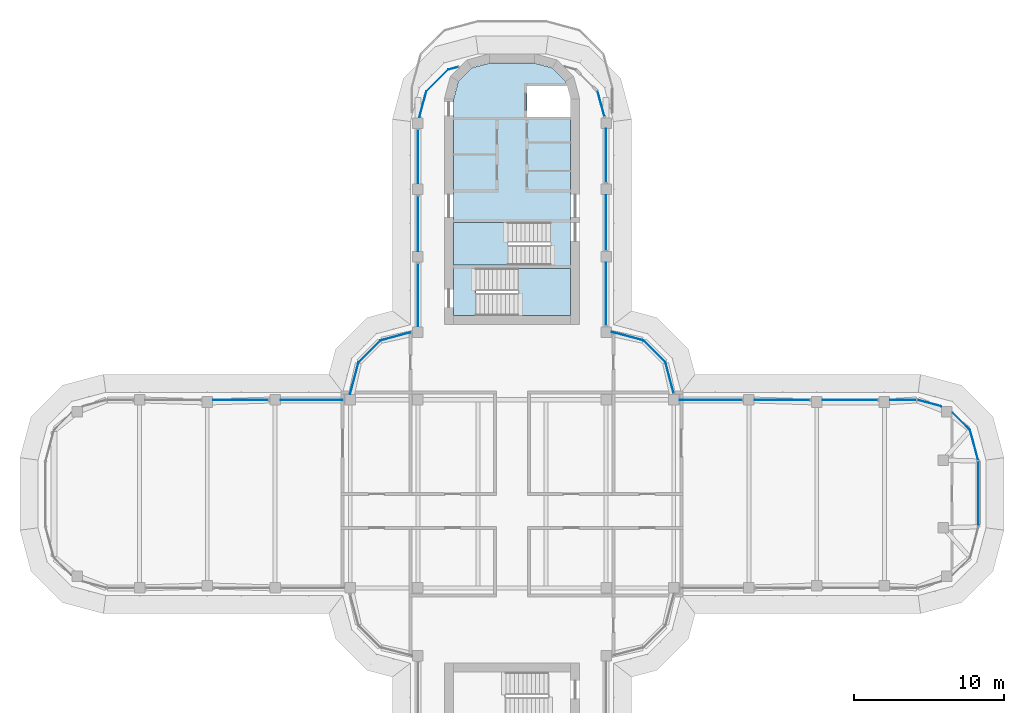
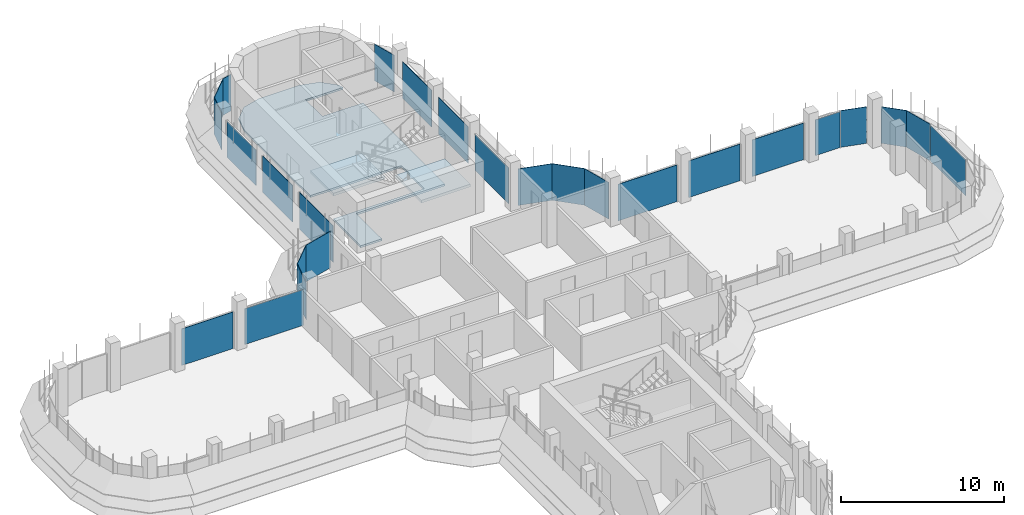
# One storey, part 12 of 19: 26 plates, 3 slabs, 20 elements without a shape of their own.
"""IFC4 building model written with IfcOpenShell, lengths in metres."""

from ifc_helpers import new_model, si_unit, direction, frame, origin, place, context, subcontext, project, spatial, polyline, outline, extrude, source, transform, mapped, material, layer, layer_set, type_object, element, aggregate, save


model = new_model("IFC4")

# Units and contexts
model_context = context("Model", 3, precision=1e-05, world=origin(), true_north=direction((0.0, 1.0)))
body_context = subcontext(model_context, "Body", "Model", "MODEL_VIEW")
ifc_project = project(units=[si_unit("LENGTHUNIT", "METRE"), si_unit("AREAUNIT", "SQUARE_METRE"), si_unit("VOLUMEUNIT", "CUBIC_METRE"), si_unit("PLANEANGLEUNIT", "RADIAN"), si_unit("MASSUNIT", "GRAM", prefix="KILO")], contexts=[model_context])

# Site, building, storey
site_placement = place(None, origin())
site = spatial("IfcSite", under=ifc_project, at=site_placement, CompositionType="ELEMENT")
building_placement = place(site_placement, origin())
building = spatial("IfcBuilding", under=site, at=building_placement, Name="Zarbagh Exchange Tower", CompositionType="ELEMENT")
storey_placement = place(building_placement, frame((0.0, 0.0, 218.199951171875)))
storey = spatial("IfcBuildingStorey", under=building, at=storey_placement, Name="L53", CompositionType="ELEMENT", Elevation=218.199951171875)

# Slab
ifc_material_1 = material(Name="Concrete C40/50", Category="concrete")
ifc_layer_1 = layer(ifc_material_1, 0.14990234375)
ifc_layer_set_1 = layer_set([ifc_layer_1], Name="Core floor slab 150 C40/50")
slab_type_1 = type_object("IfcSlabType", Name="Core floor slab 150 C40/50", PredefinedType="FLOOR", material=ifc_layer_set_1)
slab_1_placement = place(storey_placement, frame((0.0, 0.0, -0.14990234375)))
element("IfcSlab", 1, at=slab_1_placement, inside=storey, type_object=slab_type_1, Name="S17 core N", PredefinedType="FLOOR", context=body_context, shape_type="SweptSolid", body=[
    extrude(outline(polyline([(-3.89990234375, 11.85009765625), (-3.89990234375, 15.199951171875), (2.550048828125, 15.199951171875), (2.550048828125, 18.050048828125), (-3.89990234375, 18.050048828125), (-3.89990234375, 26.1708984375), (-3.56005859375, 27.439453125), (-2.689453125, 28.31005859375), (-1.4208984375, 28.64990234375), (1.4208984375, 28.64990234375), (2.689453125, 28.31005859375), (3.56005859375, 27.439453125), (3.651123046875, 27.10009765625), (1.0, 27.10009765625), (1.0, 25.050048828125), (3.89990234375, 25.050048828125), (3.89990234375, 15.0), (-2.39990234375, 15.0), (-2.39990234375, 11.85009765625), (-3.89990234375, 11.85009765625)])), origin(), (0.0, 0.0, 1.0), 0.14990234375),
])

# Stair, slab
stair_type = type_object("IfcStairType", Name="Exit stair two-flight half-turn", PredefinedType="HALF_TURN_STAIR", material=ifc_material_1)
stair_1_placement = place(storey_placement, origin())
stair_1 = element("IfcStair", 2, at=stair_1_placement, inside=storey, type_object=stair_type, Name="exit stair ST1", PredefinedType="HALF_TURN_STAIR")
ifc_layer_2 = layer(ifc_material_1, 0.199951171875)
ifc_layer_set_2 = layer_set([ifc_layer_2], Name="Stair landing 200 mm")
slab_type_2 = type_object("IfcSlabType", Name="Stair landing 200 mm", PredefinedType="LANDING", material=ifc_layer_set_2)
slab_2_placement = place(storey_placement, frame((0.0, 0.0, 1.699951171875)))
slab_2 = element("IfcSlab", 3, at=slab_2_placement, type_object=slab_type_2, Name="ST1 landing 1", PredefinedType="LANDING", context=body_context, shape_type="SweptSolid", body=[
    extrude(outline(polyline([(-0.25, 18.050048828125), (-3.89990234375, 18.050048828125), (-3.89990234375, 15.199951171875), (-0.25, 15.199951171875), (-0.25, 18.050048828125)])), origin(), (0.0, 0.0, 1.0), 0.2001953125),
])
aggregate(stair_1, [slab_2])

stair_2_placement = place(storey_placement, origin())
stair_2 = element("IfcStair", 4, at=stair_2_placement, inside=storey, type_object=stair_type, Name="exit stair ST2", PredefinedType="HALF_TURN_STAIR")
slab_3_placement = place(storey_placement, frame((0.0, 0.0, 1.699951171875)))
slab_3 = element("IfcSlab", 5, at=slab_3_placement, type_object=slab_type_2, Name="ST2 landing 1", PredefinedType="LANDING", context=body_context, shape_type="SweptSolid", body=[
    extrude(outline(polyline([(0.39990234375, 11.85009765625), (3.89990234375, 11.85009765625), (3.89990234375, 15.0), (0.39990234375, 15.0), (0.39990234375, 11.85009765625)])), origin(), (0.0, 0.0, 1.0), 0.2001953125),
])
aggregate(stair_2, [slab_3])

# Curtain wall, plate
ifc_material_2 = material(Name="Anodised aluminium frame and glazing", Category="aluminium")
curtain_wall_type = type_object("IfcCurtainWallType", Name="CWB Ribbon glazing, upper zones", PredefinedType="NOTDEFINED", material=ifc_material_2)
curtain_wall_1_placement = place(storey_placement, origin())
curtain_wall_1 = element("IfcCurtainWall", 6, at=curtain_wall_1_placement, inside=storey, type_object=curtain_wall_type, Name="CWB18 curtain wall", PredefinedType="NOTDEFINED")
ifc_material_3 = material(Name="Low-e double glazed unit, 6+12+6 mm")
ifc_layer_3 = layer(ifc_material_3, 0.031982421875)
ifc_layer_set_3 = layer_set([ifc_layer_3], Name="PAB Glazing panel, Low-e double glazed unit, 6+12+6 mm")
plate_type = type_object("IfcPlateType", Name="PAB Glazing panel, Low-e double glazed unit, 6+12+6 mm", PredefinedType="CURTAIN_PANEL", material=ifc_layer_set_3)
shared_shape_1 = source(origin(), body_context, "Body", "SweptSolid", [
    extrude(outline(polyline([(0.0, -0.01611328125), (2.061279296875, -0.01611328125), (2.061279296875, 0.01611328125), (0.0, 0.01611328125), (0.0, -0.01611328125)])), origin(), (0.0, 0.0, 1.0), 2.75),
])
placement = place(storey_placement, origin())
plate_1 = element("IfcPlate", 7, at=placement, type_object=plate_type, Name="CWB18 glazing panel 1.1", PredefinedType="CURTAIN_PANEL", context=body_context, shape_type="MappedRepresentation", body=[
    mapped(shared_shape_1, transform((10.19873046875, 8.7412109375, 0.0), x_axis=(-0.707106781187, 0.707106781187, 0.0), y_axis=(-0.707106781187, -0.707106781187, 0.0), z_axis=(0.0, 0.0, 1.0))),
])
aggregate(curtain_wall_1, [plate_1])

curtain_wall_2_placement = place(storey_placement, origin())
curtain_wall_2 = element("IfcCurtainWall", 8, at=curtain_wall_2_placement, inside=storey, type_object=curtain_wall_type, Name="CWB71 curtain wall", PredefinedType="NOTDEFINED")
plate_2 = element("IfcPlate", 9, at=placement, type_object=plate_type, Name="CWB71 glazing panel 1.1", PredefinedType="CURTAIN_PANEL", context=body_context, shape_type="MappedRepresentation", body=[
    mapped(shared_shape_1, transform((-4.2412109375, 28.19873046875, 0.0), x_axis=(-0.707106781187, -0.707106781187, 0.0), y_axis=(0.707106781187, -0.707106781187, 0.0), z_axis=(0.0, 0.0, 1.0))),
])
aggregate(curtain_wall_2, [plate_2])

curtain_wall_3_placement = place(storey_placement, origin())
curtain_wall_3 = element("IfcCurtainWall", 10, at=curtain_wall_3_placement, inside=storey, type_object=curtain_wall_type, Name="CWB30 curtain wall", PredefinedType="NOTDEFINED")
plate_3 = element("IfcPlate", 11, at=placement, type_object=plate_type, Name="CWB30 glazing panel 1.1", PredefinedType="CURTAIN_PANEL", context=body_context, shape_type="MappedRepresentation", body=[
    mapped(shared_shape_1, transform((-8.7412109375, 10.19873046875, 0.0), x_axis=(-0.707106781187, -0.707106781187, 0.0), y_axis=(0.707106781187, -0.707106781187, 0.0), z_axis=(0.0, 0.0, 1.0))),
])
aggregate(curtain_wall_3, [plate_3])

curtain_wall_4_placement = place(storey_placement, origin())
curtain_wall_4 = element("IfcCurtainWall", 12, at=curtain_wall_4_placement, inside=storey, type_object=curtain_wall_type, Name="CWB67 curtain wall", PredefinedType="NOTDEFINED")
shared_shape_2 = source(origin(), body_context, "Body", "SweptSolid", [
    extrude(outline(polyline([(0.0, -0.01611328125), (3.56005859375, -0.01611328125), (3.56005859375, 0.01611328125), (0.0, 0.01611328125), (0.0, -0.01611328125)])), origin(), (0.0, 0.0, 1.0), 2.75),
])
plate_4 = element("IfcPlate", 13, at=placement, type_object=plate_type, Name="CWB67 glazing panel 3.1", PredefinedType="CURTAIN_PANEL", context=body_context, shape_type="MappedRepresentation", body=[
    mapped(shared_shape_2, transform((6.25, 20.699951171875, 0.0), x_axis=(0.0, 1.0, 0.0), y_axis=(-1.0, 0.0, 0.0), z_axis=(0.0, 0.0, 1.0))),
])

curtain_wall_5_placement = place(storey_placement, origin())
curtain_wall_5 = element("IfcCurtainWall", 14, at=curtain_wall_5_placement, inside=storey, type_object=curtain_wall_type, Name="CWB12 curtain wall", PredefinedType="NOTDEFINED")
shared_shape_3 = source(origin(), body_context, "Body", "SweptSolid", [
    extrude(outline(polyline([(0.0, -0.01611328125), (4.308349609375, -0.01611328125), (4.308349609375, 0.01611328125), (0.0, 0.01611328125), (0.0, -0.01611328125)])), origin(), (0.0, 0.0, 1.0), 2.68994140625),
])
plate_5 = element("IfcPlate", 15, at=placement, type_object=plate_type, Name="CWB12 glazing panel 1.1", PredefinedType="CURTAIN_PANEL", context=body_context, shape_type="MappedRepresentation", body=[
    mapped(shared_shape_3, transform((31.0, -2.124267578125, 0.0), x_axis=(0.0, 1.0, 0.0), y_axis=(-1.0, 0.0, 0.0), z_axis=(0.0, 0.0, 1.0))),
])
aggregate(curtain_wall_5, [plate_5])

curtain_wall_6_placement = place(storey_placement, origin())
curtain_wall_6 = element("IfcCurtainWall", 16, at=curtain_wall_6_placement, inside=storey, type_object=curtain_wall_type, Name="CWB13 curtain wall", PredefinedType="NOTDEFINED")
shared_shape_4 = source(origin(), body_context, "Body", "SweptSolid", [
    extrude(outline(polyline([(0.0, -0.01611328125), (2.069580078125, -0.01611328125), (2.069580078125, 0.01611328125), (0.0, 0.01611328125), (0.0, -0.01611328125)])), origin(), (0.0, 0.0, 1.0), 2.75),
])
plate_6 = element("IfcPlate", 17, at=placement, type_object=plate_type, Name="CWB13 glazing panel 1.1", PredefinedType="CURTAIN_PANEL", context=body_context, shape_type="MappedRepresentation", body=[
    mapped(shared_shape_4, transform((30.984375, 2.2421875, 0.0), x_axis=(-0.258824779902, 0.965924289636, 0.0), y_axis=(-0.965924289636, -0.258824779902, 0.0), z_axis=(0.0, 0.0, 1.0))),
])
aggregate(curtain_wall_6, [plate_6])

curtain_wall_7_placement = place(storey_placement, origin())
curtain_wall_7 = element("IfcCurtainWall", 18, at=curtain_wall_7_placement, inside=storey, type_object=curtain_wall_type, Name="CWB73 curtain wall", PredefinedType="NOTDEFINED")
shared_shape_5 = source(origin(), body_context, "Body", "SweptSolid", [
    extrude(outline(polyline([(0.0, -0.01611328125), (3.56005859375, -0.01611328125), (3.56005859375, 0.01611328125), (0.0, 0.01611328125), (0.0, -0.01611328125)])), origin(), (0.0, 0.0, 1.0), 2.68994140625),
])
plate_7 = element("IfcPlate", 19, at=placement, type_object=plate_type, Name="CWB73 glazing panel 1.1", PredefinedType="CURTAIN_PANEL", context=body_context, shape_type="MappedRepresentation", body=[
    mapped(shared_shape_5, transform((-6.25, 24.199951171875, 0.0), x_axis=(0.0, -1.0, 0.0), y_axis=(1.0, 0.0, 0.0), z_axis=(0.0, 0.0, 1.0))),
])

curtain_wall_8_placement = place(storey_placement, origin())
curtain_wall_8 = element("IfcCurtainWall", 20, at=curtain_wall_8_placement, inside=storey, type_object=curtain_wall_type, Name="CWB72 curtain wall", PredefinedType="NOTDEFINED")
shared_shape_6 = source(origin(), body_context, "Body", "SweptSolid", [
    extrude(outline(polyline([(0.0, -0.01611328125), (1.76123046875, -0.01611328125), (1.76123046875, 0.01611328125), (0.0, 0.01611328125), (0.0, -0.01611328125)])), origin(), (0.0, 0.0, 1.0), 2.75),
])
plate_8 = element("IfcPlate", 21, at=placement, type_object=plate_type, Name="CWB72 glazing panel 1.1", PredefinedType="CURTAIN_PANEL", context=body_context, shape_type="MappedRepresentation", body=[
    mapped(shared_shape_6, transform((-5.69873046875, 26.7412109375, 0.0), x_axis=(-0.258824779902, -0.965924289636, 0.0), y_axis=(0.965924289636, -0.258824779902, 0.0), z_axis=(0.0, 0.0, 1.0))),
])
aggregate(curtain_wall_8, [plate_8])

# Curtain wall, plates
curtain_wall_9_placement = place(storey_placement, origin())
curtain_wall_9 = element("IfcCurtainWall", 22, at=curtain_wall_9_placement, inside=storey, type_object=curtain_wall_type, Name="CWB16 curtain wall", PredefinedType="NOTDEFINED")
shared_shape_7 = source(origin(), body_context, "Body", "SweptSolid", [
    extrude(outline(polyline([(0.0, -0.01611328125), (3.659912109375, -0.01611328125), (3.659912109375, 0.01611328125), (0.0, 0.01611328125), (0.0, -0.01611328125)])), origin(), (0.0, 0.0, 1.0), 2.75),
])
plate_9 = element("IfcPlate", 23, at=placement, type_object=plate_type, Name="CWB16 glazing panel 2.1", PredefinedType="CURTAIN_PANEL", context=body_context, shape_type="MappedRepresentation", body=[
    mapped(shared_shape_7, transform((24.300048828125, 6.25, 0.0), x_axis=(-1.0, 0.0, 0.0), y_axis=(0.0, -1.0, 0.0), z_axis=(0.0, 0.0, 1.0))),
])
plate_10 = element("IfcPlate", 24, at=placement, type_object=plate_type, Name="CWB16 glazing panel 3.1", PredefinedType="CURTAIN_PANEL", context=body_context, shape_type="MappedRepresentation", body=[
    mapped(shared_shape_7, transform((19.800048828125, 6.25, 0.0), x_axis=(-1.0, 0.0, 0.0), y_axis=(0.0, -1.0, 0.0), z_axis=(0.0, 0.0, 1.0))),
])

# Plate
plate_11 = element("IfcPlate", 25, at=placement, type_object=plate_type, Name="CWB67 glazing panel 2.1", PredefinedType="CURTAIN_PANEL", context=body_context, shape_type="MappedRepresentation", body=[
    mapped(shared_shape_7, transform((6.25, 16.199951171875, 0.0), x_axis=(0.0, 1.0, 0.0), y_axis=(-1.0, 0.0, 0.0), z_axis=(0.0, 0.0, 1.0))),
])

plate_12 = element("IfcPlate", 26, at=placement, type_object=plate_type, Name="CWB73 glazing panel 2.1", PredefinedType="CURTAIN_PANEL", context=body_context, shape_type="MappedRepresentation", body=[
    mapped(shared_shape_7, transform((-6.25, 19.800048828125, 0.0), x_axis=(0.0, -1.0, 0.0), y_axis=(1.0, 0.0, 0.0), z_axis=(0.0, 0.0, 1.0))),
])

# Curtain wall, plate
curtain_wall_10_placement = place(storey_placement, origin())
curtain_wall_10 = element("IfcCurtainWall", 27, at=curtain_wall_10_placement, inside=storey, type_object=curtain_wall_type, Name="CWB58 curtain wall", PredefinedType="NOTDEFINED")
plate_13 = element("IfcPlate", 28, at=placement, type_object=plate_type, Name="CWB58 glazing panel 2.1", PredefinedType="CURTAIN_PANEL", context=body_context, shape_type="MappedRepresentation", body=[
    mapped(shared_shape_7, transform((-16.199951171875, 6.25, 0.0), x_axis=(-1.0, 0.0, 0.0), y_axis=(0.0, -1.0, 0.0), z_axis=(0.0, 0.0, 1.0))),
])

# Plate
shared_shape_8 = source(origin(), body_context, "Body", "SweptSolid", [
    extrude(outline(polyline([(0.0, -0.01611328125), (4.159912109375, -0.01611328125), (4.159912109375, 0.01611328125), (0.0, 0.01611328125), (0.0, -0.01611328125)])), origin(), (0.0, 0.0, 1.0), 2.75),
])
plate_14 = element("IfcPlate", 29, at=placement, type_object=plate_type, Name="CWB16 glazing panel 4.1", PredefinedType="CURTAIN_PANEL", context=body_context, shape_type="MappedRepresentation", body=[
    mapped(shared_shape_8, transform((15.300048828125, 6.25, 0.0), x_axis=(-1.0, 0.0, 0.0), y_axis=(0.0, -1.0, 0.0), z_axis=(0.0, 0.0, 1.0))),
])

plate_15 = element("IfcPlate", 30, at=placement, type_object=plate_type, Name="CWB73 glazing panel 3.1", PredefinedType="CURTAIN_PANEL", context=body_context, shape_type="MappedRepresentation", body=[
    mapped(shared_shape_8, transform((-6.25, 15.300048828125, 0.0), x_axis=(0.0, -1.0, 0.0), y_axis=(1.0, 0.0, 0.0), z_axis=(0.0, 0.0, 1.0))),
])

aggregate(curtain_wall_7, [plate_7, plate_12, plate_15])

# Curtain wall, plate
curtain_wall_11_placement = place(storey_placement, origin())
curtain_wall_11 = element("IfcCurtainWall", 31, at=curtain_wall_11_placement, inside=storey, type_object=curtain_wall_type, Name="CWB17 curtain wall", PredefinedType="NOTDEFINED")
shared_shape_9 = source(origin(), body_context, "Body", "SweptSolid", [
    extrude(outline(polyline([(0.0, -0.01611328125), (2.115234375, -0.01611328125), (2.115234375, 0.01611328125), (0.0, 0.01611328125), (0.0, -0.01611328125)])), origin(), (0.0, 0.0, 1.0), 2.75),
])
plate_16 = element("IfcPlate", 32, at=placement, type_object=plate_type, Name="CWB17 glazing panel 1.1", PredefinedType="CURTAIN_PANEL", context=body_context, shape_type="MappedRepresentation", body=[
    mapped(shared_shape_9, transform((10.746337890625, 6.697998046875, 0.0), x_axis=(-0.258824779902, 0.965924289636, 0.0), y_axis=(-0.965924289636, -0.258824779902, 0.0), z_axis=(0.0, 0.0, 1.0))),
])
aggregate(curtain_wall_11, [plate_16])

curtain_wall_12_placement = place(storey_placement, origin())
curtain_wall_12 = element("IfcCurtainWall", 33, at=curtain_wall_12_placement, inside=storey, type_object=curtain_wall_type, Name="CWB29 curtain wall", PredefinedType="NOTDEFINED")
plate_17 = element("IfcPlate", 34, at=placement, type_object=plate_type, Name="CWB29 glazing panel 1.1", PredefinedType="CURTAIN_PANEL", context=body_context, shape_type="MappedRepresentation", body=[
    mapped(shared_shape_9, transform((-6.697998046875, 10.746337890625, 0.0), x_axis=(-0.965924289636, -0.258824779902, 0.0), y_axis=(0.258824779902, -0.965924289636, 0.0), z_axis=(0.0, 0.0, 1.0))),
])
aggregate(curtain_wall_12, [plate_17])

curtain_wall_13_placement = place(storey_placement, origin())
curtain_wall_13 = element("IfcCurtainWall", 35, at=curtain_wall_13_placement, inside=storey, type_object=curtain_wall_type, Name="CWB19 curtain wall", PredefinedType="NOTDEFINED")
shared_shape_10 = source(origin(), body_context, "Body", "SweptSolid", [
    extrude(outline(polyline([(0.0, -0.01611328125), (2.17529296875, -0.01611328125), (2.17529296875, 0.01611328125), (0.0, 0.01611328125), (0.0, -0.01611328125)])), origin(), (0.0, 0.0, 1.0), 2.75),
])
plate_18 = element("IfcPlate", 36, at=placement, type_object=plate_type, Name="CWB19 glazing panel 1.1", PredefinedType="CURTAIN_PANEL", context=body_context, shape_type="MappedRepresentation", body=[
    mapped(shared_shape_10, transform((8.7412109375, 10.19873046875, 0.0), x_axis=(-0.965924289636, 0.258824779902, 0.0), y_axis=(-0.258824779902, -0.965924289636, 0.0), z_axis=(0.0, 0.0, 1.0))),
])
aggregate(curtain_wall_13, [plate_18])

curtain_wall_14_placement = place(storey_placement, origin())
curtain_wall_14 = element("IfcCurtainWall", 37, at=curtain_wall_14_placement, inside=storey, type_object=curtain_wall_type, Name="CWB31 curtain wall", PredefinedType="NOTDEFINED")
plate_19 = element("IfcPlate", 38, at=placement, type_object=plate_type, Name="CWB31 glazing panel 1.1", PredefinedType="CURTAIN_PANEL", context=body_context, shape_type="MappedRepresentation", body=[
    mapped(shared_shape_10, transform((-10.19873046875, 8.7412109375, 0.0), x_axis=(-0.258824779902, -0.965924289636, 0.0), y_axis=(0.965924289636, -0.258824779902, 0.0), z_axis=(0.0, 0.0, 1.0))),
])
aggregate(curtain_wall_14, [plate_19])

# Plate
shared_shape_11 = source(origin(), body_context, "Body", "SweptSolid", [
    extrude(outline(polyline([(0.0, -0.01611328125), (4.159912109375, -0.01611328125), (4.159912109375, 0.01611328125), (0.0, 0.01611328125), (0.0, -0.01611328125)])), origin(), (0.0, 0.0, 1.0), 2.68994140625),
])
plate_20 = element("IfcPlate", 39, at=placement, type_object=plate_type, Name="CWB67 glazing panel 1.1", PredefinedType="CURTAIN_PANEL", context=body_context, shape_type="MappedRepresentation", body=[
    mapped(shared_shape_11, transform((6.25, 11.199951171875, 0.0), x_axis=(0.0, 1.0, 0.0), y_axis=(-1.0, 0.0, 0.0), z_axis=(0.0, 0.0, 1.0))),
])

aggregate(curtain_wall_4, [plate_20, plate_11, plate_4])

plate_21 = element("IfcPlate", 40, at=placement, type_object=plate_type, Name="CWB58 glazing panel 1.1", PredefinedType="CURTAIN_PANEL", context=body_context, shape_type="MappedRepresentation", body=[
    mapped(shared_shape_11, transform((-11.199951171875, 6.25, 0.0), x_axis=(-1.0, 0.0, 0.0), y_axis=(0.0, -1.0, 0.0), z_axis=(0.0, 0.0, 1.0))),
])

aggregate(curtain_wall_10, [plate_21, plate_13])

# Curtain wall, plate
curtain_wall_15_placement = place(storey_placement, origin())
curtain_wall_15 = element("IfcCurtainWall", 41, at=curtain_wall_15_placement, inside=storey, type_object=curtain_wall_type, Name="CWB14 curtain wall", PredefinedType="NOTDEFINED")
shared_shape_12 = source(origin(), body_context, "Body", "SweptSolid", [
    extrude(outline(polyline([(0.0, -0.01611328125), (1.62744140625, -0.01611328125), (1.62744140625, 0.01611328125), (0.0, 0.01611328125), (0.0, -0.01611328125)])), origin(), (0.0, 0.0, 1.0), 2.75),
])
plate_22 = element("IfcPlate", 42, at=placement, type_object=plate_type, Name="CWB14 glazing panel 1.1", PredefinedType="CURTAIN_PANEL", context=body_context, shape_type="MappedRepresentation", body=[
    mapped(shared_shape_12, transform((30.44873046875, 4.2412109375, 0.0), x_axis=(-0.707106781187, 0.707106781187, 0.0), y_axis=(-0.707106781187, -0.707106781187, 0.0), z_axis=(0.0, 0.0, 1.0))),
])
aggregate(curtain_wall_15, [plate_22])

curtain_wall_16_placement = place(storey_placement, origin())
curtain_wall_16 = element("IfcCurtainWall", 43, at=curtain_wall_16_placement, inside=storey, type_object=curtain_wall_type, Name="CWB15 curtain wall", PredefinedType="NOTDEFINED")
shared_shape_13 = source(origin(), body_context, "Body", "SweptSolid", [
    extrude(outline(polyline([(0.0, -0.01611328125), (1.6396484375, -0.01611328125), (1.6396484375, 0.01611328125), (0.0, 0.01611328125), (0.0, -0.01611328125)])), origin(), (0.0, 0.0, 1.0), 2.75),
])
plate_23 = element("IfcPlate", 44, at=placement, type_object=plate_type, Name="CWB15 glazing panel 1.1", PredefinedType="CURTAIN_PANEL", context=body_context, shape_type="MappedRepresentation", body=[
    mapped(shared_shape_13, transform((28.51806640625, 5.82568359375, 0.0), x_axis=(-0.965924289636, 0.258824779902, 0.0), y_axis=(-0.258824779902, -0.965924289636, 0.0), z_axis=(0.0, 0.0, 1.0))),
])
aggregate(curtain_wall_16, [plate_23])

# Plate
shared_shape_14 = source(origin(), body_context, "Body", "SweptSolid", [
    extrude(outline(polyline([(0.0, -0.01611328125), (1.734130859375, -0.01611328125), (1.734130859375, 0.01611328125), (0.0, 0.01611328125), (0.0, -0.01611328125)])), origin(), (0.0, 0.0, 1.0), 2.68994140625),
])
plate_24 = element("IfcPlate", 45, at=placement, type_object=plate_type, Name="CWB16 glazing panel 1.1", PredefinedType="CURTAIN_PANEL", context=body_context, shape_type="MappedRepresentation", body=[
    mapped(shared_shape_14, transform((26.874267578125, 6.25, 0.0), x_axis=(-1.0, 0.0, 0.0), y_axis=(0.0, -1.0, 0.0), z_axis=(0.0, 0.0, 1.0))),
])

aggregate(curtain_wall_9, [plate_24, plate_9, plate_10, plate_14])

# Curtain wall, plate
curtain_wall_17_placement = place(storey_placement, origin())
curtain_wall_17 = element("IfcCurtainWall", 46, at=curtain_wall_17_placement, inside=storey, type_object=curtain_wall_type, Name="CWB68 curtain wall", PredefinedType="NOTDEFINED")
shared_shape_15 = source(origin(), body_context, "Body", "SweptSolid", [
    extrude(outline(polyline([(0.0, -0.01611328125), (1.701171875, -0.01611328125), (1.701171875, 0.01611328125), (0.0, 0.01611328125), (0.0, -0.01611328125)])), origin(), (0.0, 0.0, 1.0), 2.75),
])
plate_25 = element("IfcPlate", 47, at=placement, type_object=plate_type, Name="CWB68 glazing panel 1.1", PredefinedType="CURTAIN_PANEL", context=body_context, shape_type="MappedRepresentation", body=[
    mapped(shared_shape_15, transform((6.13916015625, 25.097900390625, 0.0), x_axis=(-0.258824779902, 0.965924289636, 0.0), y_axis=(-0.965924289636, -0.258824779902, 0.0), z_axis=(0.0, 0.0, 1.0))),
])
aggregate(curtain_wall_17, [plate_25])

curtain_wall_18_placement = place(storey_placement, origin())
curtain_wall_18 = element("IfcCurtainWall", 48, at=curtain_wall_18_placement, inside=storey, type_object=curtain_wall_type, Name="CWB70 curtain wall", PredefinedType="NOTDEFINED")
shared_shape_16 = source(origin(), body_context, "Body", "SweptSolid", [
    extrude(outline(polyline([(0.0, -0.01611328125), (0.697021484375, -0.01611328125), (0.697021484375, 0.01611328125), (0.0, 0.01611328125), (0.0, -0.01611328125)])), origin(), (0.0, 0.0, 1.0), 2.75),
])
plate_26 = element("IfcPlate", 49, at=placement, type_object=plate_type, Name="CWB70 glazing panel 1.1", PredefinedType="CURTAIN_PANEL", context=body_context, shape_type="MappedRepresentation", body=[
    mapped(shared_shape_16, transform((-3.56787109375, 28.379150390625, 0.0), x_axis=(-0.965924289636, -0.258824779902, 0.0), y_axis=(0.258824779902, -0.965924289636, 0.0), z_axis=(0.0, 0.0, 1.0))),
])
aggregate(curtain_wall_18, [plate_26])

save(model, "model.ifc")
